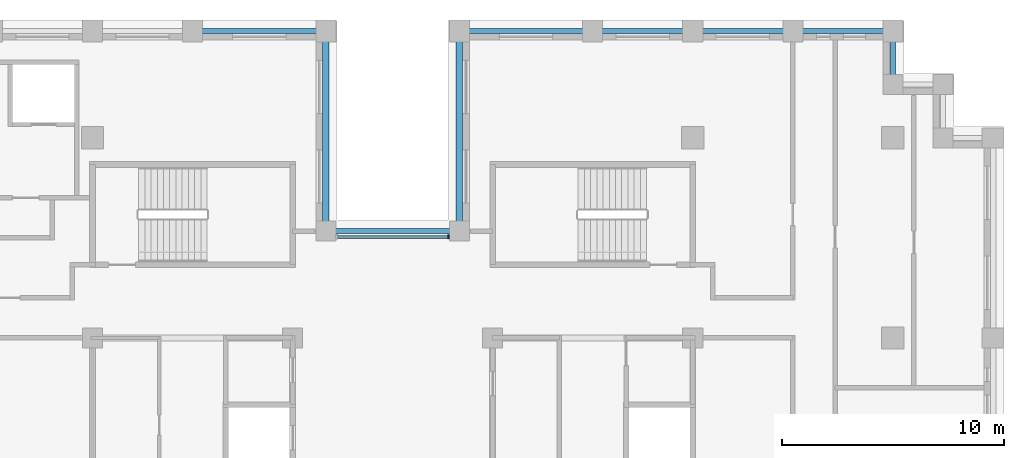
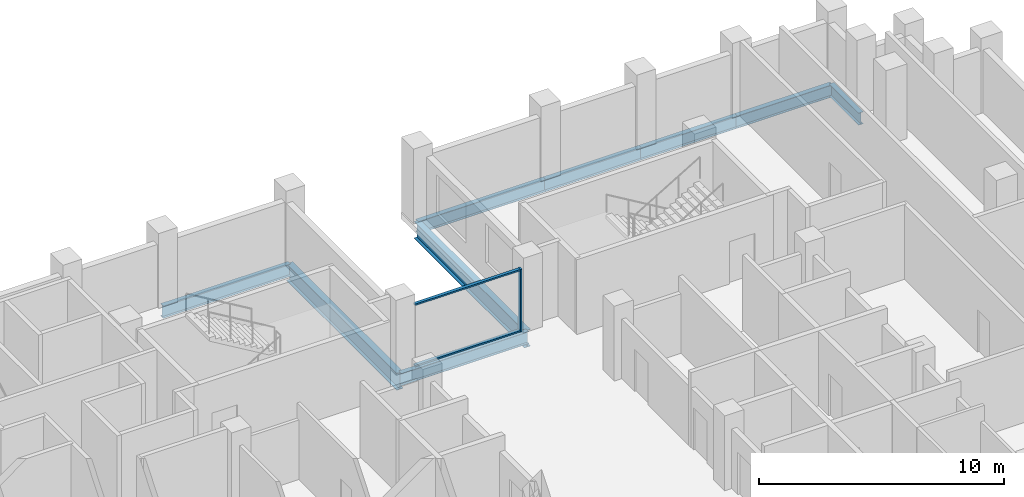
# One storey, part 4 of 15: 9 beams, 3 members, 1 element without a shape of its own.
"""IFC4 building model written with IfcOpenShell, lengths in metres."""

from ifc_helpers import new_model, si_unit, direction, frame, origin, origin_2d, place, context, subcontext, project, spatial, rectangle, i_section, extrude, material, layer, layer_set, material_profile, profile_set, type_object, element, aggregate, save


model = new_model("IFC4")

# Units and contexts
model_context = context("Model", 3, precision=1e-05, world=origin(), true_north=direction((0.0, 1.0)))
body_context = subcontext(model_context, "Body", "Model", "MODEL_VIEW")
ifc_project = project(units=[si_unit("LENGTHUNIT", "METRE"), si_unit("AREAUNIT", "SQUARE_METRE"), si_unit("VOLUMEUNIT", "CUBIC_METRE"), si_unit("PLANEANGLEUNIT", "RADIAN"), si_unit("MASSUNIT", "GRAM", prefix="KILO")], contexts=[model_context])

# Site, building, storey
site_placement = place(None, origin())
site = spatial("IfcSite", under=ifc_project, at=site_placement, CompositionType="ELEMENT")
building_placement = place(site_placement, origin())
building = spatial("IfcBuilding", under=site, at=building_placement, Name="Corbelhall Arena Tower", CompositionType="ELEMENT")
storey_placement = place(building_placement, frame((0.0, 0.0, 204.0)))
storey = spatial("IfcBuildingStorey", under=building, at=storey_placement, Name="L42", CompositionType="ELEMENT", Elevation=204.0)

# Curtain wall, members
ifc_material_1 = material(Name="Aluminium black anodised", Category="aluminium")
ifc_layer = layer(ifc_material_1, 0.199951171875)
ifc_layer_set = layer_set([ifc_layer], Name="EV-CW1 Slot back wall")
curtain_wall_type = type_object("IfcCurtainWallType", Name="EV-CW1 Slot back wall", PredefinedType="NOTDEFINED", material=ifc_layer_set)
curtain_wall_placement = place(storey_placement, origin())
curtain_wall = element("IfcCurtainWall", 1, at=curtain_wall_placement, inside=storey, type_object=curtain_wall_type, Name="Curtain wall CW1", PredefinedType="NOTDEFINED")
ifc_material_profile_1 = material_profile(ifc_material_1, rectangle(XDim=0.199951171875, YDim=0.074951171875, at=origin_2d()))
ifc_profile_set_1 = profile_set([ifc_material_profile_1], Name="Aluminium black anodised")
member_type_1 = type_object("IfcMemberType", Name="EV-CW1-MULLION", PredefinedType="MULLION", material=ifc_profile_set_1)
member_1_placement = place(storey_placement, frame((2.512451171875, 13.550048828125, 0.0), z_axis=(0.0, 0.0, 1.0), x_axis=(0.0, -1.0, 0.0)))
member_1 = element("IfcMember", 2, at=member_1_placement, type_object=member_type_1, Name="CW1 mullion 1", PredefinedType="MULLION", context=body_context, shape_type="SweptSolid", body=[
    extrude(rectangle(XDim=0.199951171875, YDim=0.074951171875, at=origin_2d()), origin(), (0.0, 0.0, 1.0), 3.1201171875),
])
ifc_material_profile_2 = material_profile(ifc_material_1, rectangle(XDim=0.14990234375, YDim=0.074951171875, at=origin_2d()))
ifc_profile_set_2 = profile_set([ifc_material_profile_2], Name="Aluminium black anodised")
member_type_2 = type_object("IfcMemberType", Name="EV-CW1-TRANSOM", PredefinedType="USERDEFINED", material=ifc_profile_set_2)
member_2_placement = place(storey_placement, frame((2.47509765625, 13.550048828125, 0.03759765625), z_axis=(-1.0, 0.0, 0.0), x_axis=(0.0, -1.0, 0.0)))
member_2 = element("IfcMember", 3, at=member_2_placement, type_object=member_type_2, Name="CW1 transom 1.1", ObjectType="transom", PredefinedType="USERDEFINED", context=body_context, shape_type="SweptSolid", body=[
    extrude(rectangle(XDim=0.14990234375, YDim=0.074951171875, at=origin_2d()), origin(), (0.0, 0.0, 1.0), 4.9501953125),
])
member_3_placement = place(storey_placement, frame((2.47509765625, 13.550048828125, 3.08251953125), z_axis=(-1.0, 0.0, 0.0), x_axis=(0.0, -1.0, 0.0)))
member_3 = element("IfcMember", 4, at=member_3_placement, type_object=member_type_2, Name="CW1 transom 1.2", ObjectType="transom", PredefinedType="USERDEFINED", context=body_context, shape_type="SweptSolid", body=[
    extrude(rectangle(XDim=0.14990234375, YDim=0.074951171875, at=origin_2d()), origin(), (0.0, 0.0, 1.0), 4.9501953125),
])
aggregate(curtain_wall, [member_1, member_2, member_3])

# Beams
ifc_material_2 = material(Name="Steel ASTM A992 Gr50", Category="steel")
ifc_material_profile_3 = material_profile(ifc_material_2, i_section(OverallWidth=0.228271484375, OverallDepth=0.607177734375, WebThickness=0.01123046875, FlangeThickness=0.017333984375, at=origin_2d()))
ifc_profile_set_3 = profile_set([ifc_material_profile_3], Name="Steel ASTM A992 Gr50")
beam_type_1 = type_object("IfcBeamType", Name="ST-SPANDREL-W24x76", PredefinedType="SPANDREL", material=ifc_profile_set_3)
beam_1_placement = place(storey_placement, frame((3.0, 22.800048828125, -0.58349609375), z_axis=(1.0, 0.0, 0.0), x_axis=(0.0, 1.0, 0.0)))
element("IfcBeam", 5, at=beam_1_placement, inside=storey, type_object=beam_type_1, Name="Beam SP 13", PredefinedType="SPANDREL", context=body_context, shape_type="SweptSolid", body=[
    extrude(i_section(OverallWidth=0.228271484375, OverallDepth=0.607177734375, WebThickness=0.01123046875, FlangeThickness=0.017333984375, at=origin_2d()), origin(), (0.0, 0.0, 1.0), 6.0),
])
for number, where, z_axis, x_axis, name in (
    (6, (9.0, 22.800048828125, -0.58349609375), (1.0, 0.0, 0.0), (0.0, 1.0, 0.0), "Beam SP 14"),
    (7, (13.5, 22.800048828125, -0.58349609375), (1.0, 0.0, 0.0), (0.0, 1.0, 0.0), "Beam SP 15"),
    (8, (18.0, 22.800048828125, -0.58349609375), (1.0, 0.0, 0.0), (0.0, 1.0, 0.0), "Beam SP 16"),
):
    element("IfcBeam", number, at=place(storey_placement, frame(where, z_axis=z_axis, x_axis=x_axis)), inside=storey, type_object=beam_type_1, Name=name, PredefinedType="SPANDREL", context=body_context, shape_type="SweptSolid", body=[
        extrude(i_section(OverallWidth=0.228271484375, OverallDepth=0.607177734375, WebThickness=0.01123046875, FlangeThickness=0.017333984375, at=origin_2d()), origin(), (0.0, 0.0, 1.0), 4.5),
    ])
beam_2_placement = place(storey_placement, frame((22.5, 22.800048828125, -0.58349609375), z_axis=(0.0, -1.0, 0.0), x_axis=(1.0, 0.0, 0.0)))
element("IfcBeam", 9, at=beam_2_placement, inside=storey, type_object=beam_type_1, Name="Beam SP 17", PredefinedType="SPANDREL", context=body_context, shape_type="SweptSolid", body=[
    extrude(i_section(OverallWidth=0.228271484375, OverallDepth=0.607177734375, WebThickness=0.01123046875, FlangeThickness=0.017333984375, at=origin_2d()), origin(), (0.0, 0.0, 1.0), 2.400146484375),
])
for number, where, z_axis, x_axis, name in (
    (10, (-9.0, 22.800048828125, -0.58349609375), (1.0, 0.0, 0.0), (0.0, 1.0, 0.0), "Beam SP 19"),
    (11, (-3.0, 13.800048828125, -0.58349609375), (1.0, 0.0, 0.0), (0.0, 1.0, 0.0), "Beam SP 36"),
):
    element("IfcBeam", number, at=place(storey_placement, frame(where, z_axis=z_axis, x_axis=x_axis)), inside=storey, type_object=beam_type_1, Name=name, PredefinedType="SPANDREL", context=body_context, shape_type="SweptSolid", body=[
        extrude(i_section(OverallWidth=0.228271484375, OverallDepth=0.607177734375, WebThickness=0.01123046875, FlangeThickness=0.017333984375, at=origin_2d()), origin(), (0.0, 0.0, 1.0), 6.0),
    ])
ifc_material_profile_4 = material_profile(ifc_material_2, i_section(OverallWidth=0.2919921875, OverallDepth=0.845703125, WebThickness=0.015380859375, FlangeThickness=0.0244140625, at=origin_2d()))
ifc_profile_set_4 = profile_set([ifc_material_profile_4], Name="Steel ASTM A992 Gr50")
beam_type_2 = type_object("IfcBeamType", Name="ST-SPANDREL-W33x141", PredefinedType="SPANDREL", material=ifc_profile_set_4)
for number, where, z_axis, x_axis, name in (
    (12, (-3.0, 22.800048828125, -0.702880859375), (0.0, -1.0, 0.0), (1.0, 0.0, 0.0), "Beam SP 18"),
    (13, (3.0, 13.800048828125, -0.702880859375), (0.0, 1.0, 0.0), (-1.0, 0.0, 0.0), "Beam SP 35"),
):
    element("IfcBeam", number, at=place(storey_placement, frame(where, z_axis=z_axis, x_axis=x_axis)), inside=storey, type_object=beam_type_2, Name=name, PredefinedType="SPANDREL", context=body_context, shape_type="SweptSolid", body=[
        extrude(i_section(OverallWidth=0.2919921875, OverallDepth=0.845703125, WebThickness=0.015380859375, FlangeThickness=0.0244140625, at=origin_2d()), origin(), (0.0, 0.0, 1.0), 9.0),
    ])

save(model, "model.ifc")
